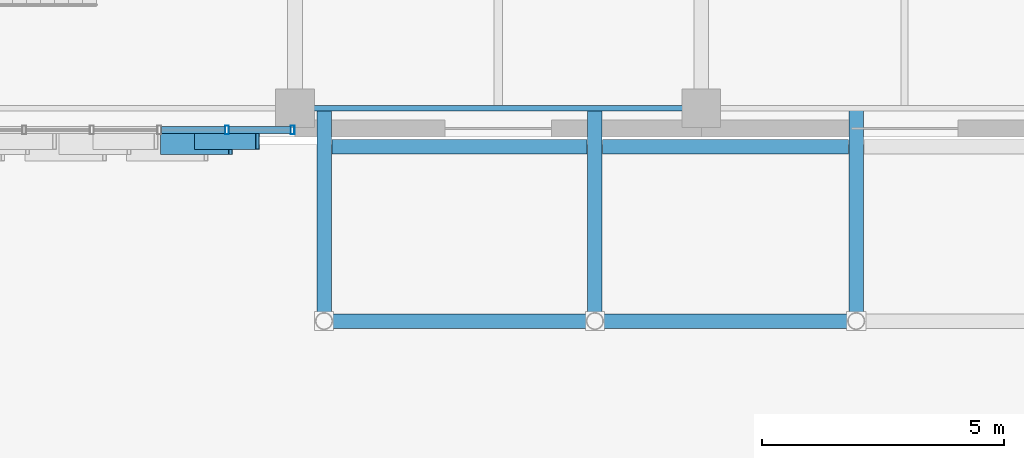
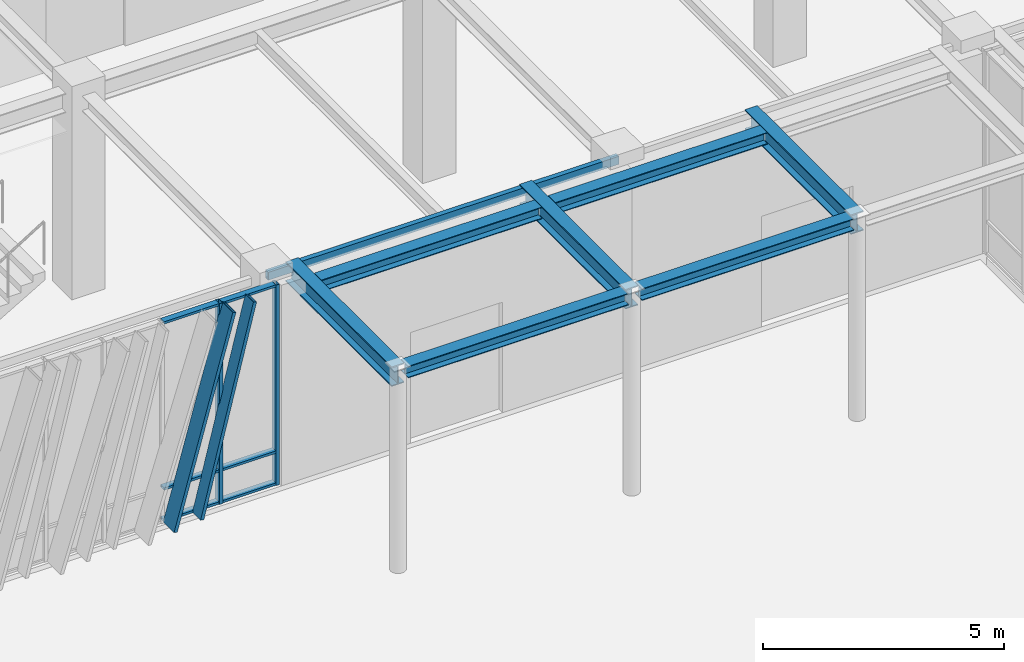
# One storey, part 12 of 122: 10 members, 8 beams, 1 element without a shape of its own.
"""IFC4 building model written with IfcOpenShell, lengths in metres."""

from ifc_helpers import new_model, si_unit, direction, frame, origin, origin_2d, place, context, subcontext, project, spatial, hollow_rectangle, i_section, extrude, material, layer, layer_set, material_profile, profile_set, type_object, element, aggregate, save


model = new_model("IFC4")

# Units and contexts
model_context = context("Model", 3, precision=1e-05, world=origin(), true_north=direction((0.0, 1.0)))
body_context = subcontext(model_context, "Body", "Model", "MODEL_VIEW")
ifc_project = project(units=[si_unit("LENGTHUNIT", "METRE"), si_unit("AREAUNIT", "SQUARE_METRE"), si_unit("VOLUMEUNIT", "CUBIC_METRE"), si_unit("PLANEANGLEUNIT", "RADIAN"), si_unit("MASSUNIT", "GRAM", prefix="KILO")], contexts=[model_context])

# Site, building, storey
site_placement = place(None, origin())
site = spatial("IfcSite", under=ifc_project, at=site_placement, CompositionType="ELEMENT")
building_placement = place(site_placement, origin())
building = spatial("IfcBuilding", under=site, at=building_placement, Name="Zayran Congress Hotel", CompositionType="ELEMENT")
storey_placement = place(building_placement, origin())
storey = spatial("IfcBuildingStorey", under=building, at=storey_placement, Name="L00", CompositionType="ELEMENT", Elevation=0.0)

# Beams
ifc_material_1 = material(Name="Steel S355", Category="steel")
ifc_material_profile_1 = material_profile(ifc_material_1, i_section(OverallWidth=0.300048828125, OverallDepth=0.5, WebThickness=0.014404296875, FlangeThickness=0.028076171875, at=origin_2d()), Name="HEB 500")
ifc_profile_set_1 = profile_set([ifc_material_profile_1], Name="Steel S355")
beam_type_1 = type_object("IfcBeamType", Name="TP-BM-08", PredefinedType="BEAM", material=ifc_profile_set_1)
for number, where, z_axis, x_axis, name in (
    (1, (59.39990234375, 63.800048828125, 4.909912109375), (0.0, 1.0, 0.0), (-1.0, 0.0, 0.0), "BM-CAN-RIB-1"),
    (2, (65.0, 63.800048828125, 4.909912109375), (0.0, 1.0, 0.0), (-1.0, 0.0, 0.0), "BM-CAN-RIB-2"),
    (3, (70.39990234375, 63.800048828125, 4.909912109375), (0.0, 1.0, 0.0), (-1.0, 0.0, 0.0), "BM-CAN-RIB-3"),
):
    element("IfcBeam", number, at=place(storey_placement, frame(where, z_axis=z_axis, x_axis=x_axis)), inside=storey, type_object=beam_type_1, Name=name, PredefinedType="BEAM", context=body_context, shape_type="SweptSolid", body=[
        extrude(i_section(OverallWidth=0.300048828125, OverallDepth=0.5, WebThickness=0.014404296875, FlangeThickness=0.028076171875, at=origin_2d()), origin(), (0.0, 0.0, 1.0), 4.39990234375),
    ])
ifc_material_profile_2 = material_profile(ifc_material_1, i_section(OverallWidth=0.300048828125, OverallDepth=0.300048828125, WebThickness=0.010986328125, FlangeThickness=0.01904296875, at=origin_2d()), Name="HEB 300")
ifc_profile_set_2 = profile_set([ifc_material_profile_2], Name="Steel S355")
beam_type_2 = type_object("IfcBeamType", Name="TP-BM-11", PredefinedType="BEAM", material=ifc_profile_set_2)
beam_1_placement = place(storey_placement, frame((59.56005859375, 63.800048828125, 5.010009765625), z_axis=(1.0, 0.0, 0.0), x_axis=(0.0, 1.0, 0.0)))
element("IfcBeam", 4, at=beam_1_placement, inside=storey, type_object=beam_type_2, Name="BM-CAN-TIE-2480", PredefinedType="BEAM", context=body_context, shape_type="SweptSolid", body=[
    extrude(i_section(OverallWidth=0.300048828125, OverallDepth=0.300048828125, WebThickness=0.010986328125, FlangeThickness=0.01904296875, at=origin_2d()), origin(), (0.0, 0.0, 1.0), 5.280029296875),
])
beam_2_placement = place(storey_placement, frame((65.159912109375, 63.800048828125, 5.010009765625), z_axis=(1.0, 0.0, 0.0), x_axis=(0.0, 1.0, 0.0)))
element("IfcBeam", 5, at=beam_2_placement, inside=storey, type_object=beam_type_2, Name="BM-CAN-TIE-2481", PredefinedType="BEAM", context=body_context, shape_type="SweptSolid", body=[
    extrude(i_section(OverallWidth=0.300048828125, OverallDepth=0.300048828125, WebThickness=0.010986328125, FlangeThickness=0.01904296875, at=origin_2d()), origin(), (0.0, 0.0, 1.0), 5.080078125),
])
beam_3_placement = place(storey_placement, frame((59.56005859375, 67.39990234375, 5.010009765625), z_axis=(1.0, 0.0, 0.0), x_axis=(0.0, 1.0, 0.0)))
element("IfcBeam", 6, at=beam_3_placement, inside=storey, type_object=beam_type_2, Name="BM-CAN-TIE-2483", PredefinedType="BEAM", context=body_context, shape_type="SweptSolid", body=[
    extrude(i_section(OverallWidth=0.300048828125, OverallDepth=0.300048828125, WebThickness=0.010986328125, FlangeThickness=0.01904296875, at=origin_2d()), origin(), (0.0, 0.0, 1.0), 5.280029296875),
])
beam_4_placement = place(storey_placement, frame((65.159912109375, 67.39990234375, 5.010009765625), z_axis=(1.0, 0.0, 0.0), x_axis=(0.0, 1.0, 0.0)))
element("IfcBeam", 7, at=beam_4_placement, inside=storey, type_object=beam_type_2, Name="BM-CAN-TIE-2484", PredefinedType="BEAM", context=body_context, shape_type="SweptSolid", body=[
    extrude(i_section(OverallWidth=0.300048828125, OverallDepth=0.300048828125, WebThickness=0.010986328125, FlangeThickness=0.01904296875, at=origin_2d()), origin(), (0.0, 0.0, 1.0), 5.080078125),
])
ifc_material_profile_3 = material_profile(ifc_material_1, hollow_rectangle(XDim=0.1201171875, YDim=0.199951171875, WallThickness=0.008056640625, at=origin_2d()), Name="RHS 200x120x8")
ifc_profile_set_3 = profile_set([ifc_material_profile_3], Name="Steel S355")
beam_type_3 = type_object("IfcBeamType", Name="TP-SP-02", PredefinedType="SPANDREL", material=ifc_profile_set_3)
beam_5_placement = place(storey_placement, frame((58.800048828125, 68.199951171875, 4.97998046875), z_axis=(1.0, 0.0, 0.0), x_axis=(0.0, 1.0, 0.0)))
element("IfcBeam", 8, at=beam_5_placement, inside=storey, type_object=beam_type_3, Name="BM-V1-L00-0395", PredefinedType="SPANDREL", context=body_context, shape_type="SweptSolid", body=[
    extrude(hollow_rectangle(XDim=0.1201171875, YDim=0.199951171875, WallThickness=0.008056640625, at=origin_2d()), origin(), (0.0, 0.0, 1.0), 8.39990234375),
])

# Curtain wall, members
ifc_material_2 = material(Name="Anodised aluminium and low-E insulated glass", Category="aluminium")
ifc_layer = layer(ifc_material_2, 0.179931640625)
ifc_layer_set = layer_set([ifc_layer], Name="Anodised aluminium and low-E insulated glass")
curtain_wall_type = type_object("IfcCurtainWallType", Name="CW-V1S-L00-CW-13-8380-5080", PredefinedType="USERDEFINED", material=ifc_layer_set)
curtain_wall_placement = place(storey_placement, origin())
curtain_wall = element("IfcCurtainWall", 9, at=curtain_wall_placement, inside=storey, type_object=curtain_wall_type, Name="CW-V1S-L00-5", ObjectType="CURTAIN WALL", PredefinedType="USERDEFINED")
ifc_material_3 = material(Name="Anodised aluminium framing", Category="aluminium")
ifc_material_profile_4 = material_profile(ifc_material_3, hollow_rectangle(XDim=0.080078125, YDim=0.179931640625, WallThickness=0.0048828125, at=origin_2d()), Name="RHS 180x80x5")
ifc_profile_set_4 = profile_set([ifc_material_profile_4], Name="Anodised aluminium framing")
member_type_1 = type_object("IfcMemberType", Name="TP-CWM-01", PredefinedType="MULLION", material=ifc_profile_set_4)
member_1_placement = place(storey_placement, frame((57.393310546875, 67.75, 0.0), z_axis=(0.0, 0.0, 1.0), x_axis=(1.0, 0.0, 0.0)))
member_1 = element("IfcMember", 10, at=member_1_placement, type_object=member_type_1, Name="CW-V1S-L00-5-M05", PredefinedType="MULLION", context=body_context, shape_type="SweptSolid", body=[
    extrude(hollow_rectangle(XDim=0.080078125, YDim=0.179931640625, WallThickness=0.0048828125, at=origin_2d()), origin(), (0.0, 0.0, 1.0), 5.080078125),
])
member_2_placement = place(storey_placement, frame((58.75, 67.75, 0.0), z_axis=(0.0, 0.0, 1.0), x_axis=(1.0, 0.0, 0.0)))
member_2 = element("IfcMember", 11, at=member_2_placement, type_object=member_type_1, Name="CW-V1S-L00-5-M06", PredefinedType="MULLION", context=body_context, shape_type="SweptSolid", body=[
    extrude(hollow_rectangle(XDim=0.080078125, YDim=0.179931640625, WallThickness=0.0048828125, at=origin_2d()), origin(), (0.0, 0.0, 1.0), 5.080078125),
])
ifc_material_profile_5 = material_profile(ifc_material_3, hollow_rectangle(XDim=0.06005859375, YDim=0.14990234375, WallThickness=0.00390625, at=origin_2d()), Name="RHS 150x60x4")
ifc_profile_set_5 = profile_set([ifc_material_profile_5], Name="Anodised aluminium framing")
member_type_2 = type_object("IfcMemberType", Name="TP-CWT-01", PredefinedType="USERDEFINED", material=ifc_profile_set_5)
member_3_placement = place(storey_placement, frame((56.03662109375, 67.75, 0.030029296875), z_axis=(1.0, 0.0, 0.0), x_axis=(0.0, 0.0, 1.0)))
member_3 = element("IfcMember", 12, at=member_3_placement, type_object=member_type_2, Name="CW-V1S-L00-5-T04-0", ObjectType="TRANSOM", PredefinedType="USERDEFINED", context=body_context, shape_type="SweptSolid", body=[
    extrude(hollow_rectangle(XDim=0.06005859375, YDim=0.14990234375, WallThickness=0.00390625, at=origin_2d()), origin(), (0.0, 0.0, 1.0), 1.316650390625),
])
member_4_placement = place(storey_placement, frame((56.03662109375, 67.75, 0.840087890625), z_axis=(1.0, 0.0, 0.0), x_axis=(0.0, 0.0, 1.0)))
member_4 = element("IfcMember", 13, at=member_4_placement, type_object=member_type_2, Name="CW-V1S-L00-5-T04-1", ObjectType="TRANSOM", PredefinedType="USERDEFINED", context=body_context, shape_type="SweptSolid", body=[
    extrude(hollow_rectangle(XDim=0.06005859375, YDim=0.14990234375, WallThickness=0.00390625, at=origin_2d()), origin(), (0.0, 0.0, 1.0), 1.316650390625),
])
member_5_placement = place(storey_placement, frame((56.03662109375, 67.75, 5.050048828125), z_axis=(1.0, 0.0, 0.0), x_axis=(0.0, 0.0, 1.0)))
member_5 = element("IfcMember", 14, at=member_5_placement, type_object=member_type_2, Name="CW-V1S-L00-5-T04-2", ObjectType="TRANSOM", PredefinedType="USERDEFINED", context=body_context, shape_type="SweptSolid", body=[
    extrude(hollow_rectangle(XDim=0.06005859375, YDim=0.14990234375, WallThickness=0.00390625, at=origin_2d()), origin(), (0.0, 0.0, 1.0), 1.316650390625),
])
member_6_placement = place(storey_placement, frame((57.433349609375, 67.75, 0.030029296875), z_axis=(1.0, 0.0, 0.0), x_axis=(0.0, 0.0, 1.0)))
member_6 = element("IfcMember", 15, at=member_6_placement, type_object=member_type_2, Name="CW-V1S-L00-5-T05-0", ObjectType="TRANSOM", PredefinedType="USERDEFINED", context=body_context, shape_type="SweptSolid", body=[
    extrude(hollow_rectangle(XDim=0.06005859375, YDim=0.14990234375, WallThickness=0.00390625, at=origin_2d()), origin(), (0.0, 0.0, 1.0), 1.276611328125),
])
member_7_placement = place(storey_placement, frame((57.433349609375, 67.75, 0.840087890625), z_axis=(1.0, 0.0, 0.0), x_axis=(0.0, 0.0, 1.0)))
member_7 = element("IfcMember", 16, at=member_7_placement, type_object=member_type_2, Name="CW-V1S-L00-5-T05-1", ObjectType="TRANSOM", PredefinedType="USERDEFINED", context=body_context, shape_type="SweptSolid", body=[
    extrude(hollow_rectangle(XDim=0.06005859375, YDim=0.14990234375, WallThickness=0.00390625, at=origin_2d()), origin(), (0.0, 0.0, 1.0), 1.276611328125),
])
member_8_placement = place(storey_placement, frame((57.433349609375, 67.75, 5.050048828125), z_axis=(1.0, 0.0, 0.0), x_axis=(0.0, 0.0, 1.0)))
member_8 = element("IfcMember", 17, at=member_8_placement, type_object=member_type_2, Name="CW-V1S-L00-5-T05-2", ObjectType="TRANSOM", PredefinedType="USERDEFINED", context=body_context, shape_type="SweptSolid", body=[
    extrude(hollow_rectangle(XDim=0.06005859375, YDim=0.14990234375, WallThickness=0.00390625, at=origin_2d()), origin(), (0.0, 0.0, 1.0), 1.276611328125),
])
ifc_material_4 = material(Name="Warm bronze anodised aluminium", Category="aluminium")
ifc_material_profile_6 = material_profile(ifc_material_4, hollow_rectangle(XDim=0.080078125, YDim=0.449951171875, WallThickness=0.006103515625, at=origin_2d()), Name="RHS 450x80x6")
ifc_profile_set_6 = profile_set([ifc_material_profile_6], Name="Warm bronze anodised aluminium")
member_type_3 = type_object("IfcMemberType", Name="TP-RFN-02", PredefinedType="MULLION", material=ifc_profile_set_6)
member_9_placement = place(storey_placement, frame((56.06005859375, 67.465087890625, 0.0), z_axis=(0.267213902124, 0.0, 0.963637240102), x_axis=(-0.963637240102, 0.0, 0.267213902124)))
member_9 = element("IfcMember", 18, at=member_9_placement, type_object=member_type_3, Name="Slanting Reed Mullion CW-13-08", PredefinedType="MULLION", context=body_context, shape_type="SweptSolid", body=[
    extrude(hollow_rectangle(XDim=0.080078125, YDim=0.449951171875, WallThickness=0.006103515625, at=origin_2d()), origin(), (0.0, 0.0, 1.0), 5.271728515625),
])
ifc_material_profile_7 = material_profile(ifc_material_4, hollow_rectangle(XDim=0.080078125, YDim=0.340087890625, WallThickness=0.006103515625, at=origin_2d()), Name="RHS 340x80x6")
ifc_profile_set_7 = profile_set([ifc_material_profile_7], Name="Warm bronze anodised aluminium")
member_type_4 = type_object("IfcMemberType", Name="TP-RFN-03", PredefinedType="MULLION", material=ifc_profile_set_7)
member_10_placement = place(storey_placement, frame((56.760009765625, 67.52001953125, 0.0), z_axis=(0.241921145618, 0.0, 0.970295913267), x_axis=(-0.970295913267, 0.0, 0.241921145618)))
member_10 = element("IfcMember", 19, at=member_10_placement, type_object=member_type_4, Name="Slanting Reed Mullion CW-13-09", PredefinedType="MULLION", context=body_context, shape_type="SweptSolid", body=[
    extrude(hollow_rectangle(XDim=0.080078125, YDim=0.340087890625, WallThickness=0.006103515625, at=origin_2d()), origin(), (0.0, 0.0, 1.0), 5.235595703125),
])
aggregate(curtain_wall, [member_1, member_2, member_3, member_4, member_5, member_6, member_7, member_8, member_9, member_10])

save(model, "model.ifc")
